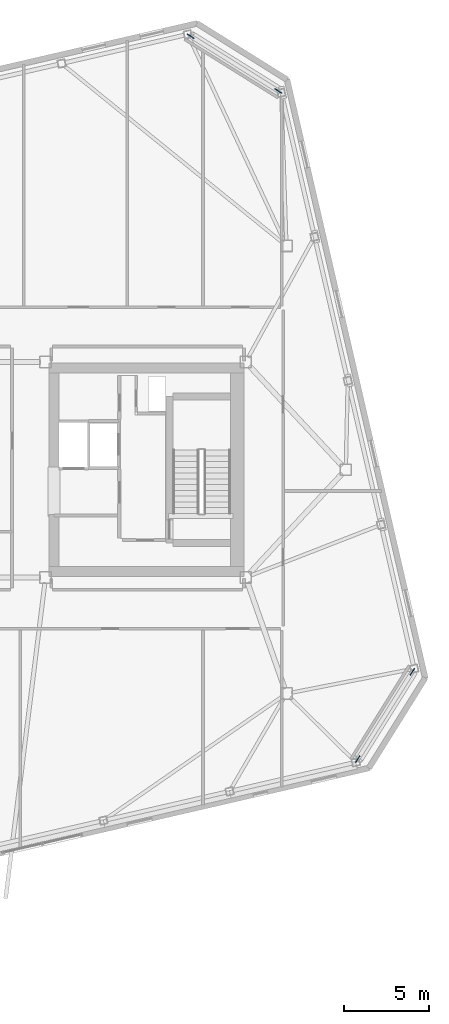
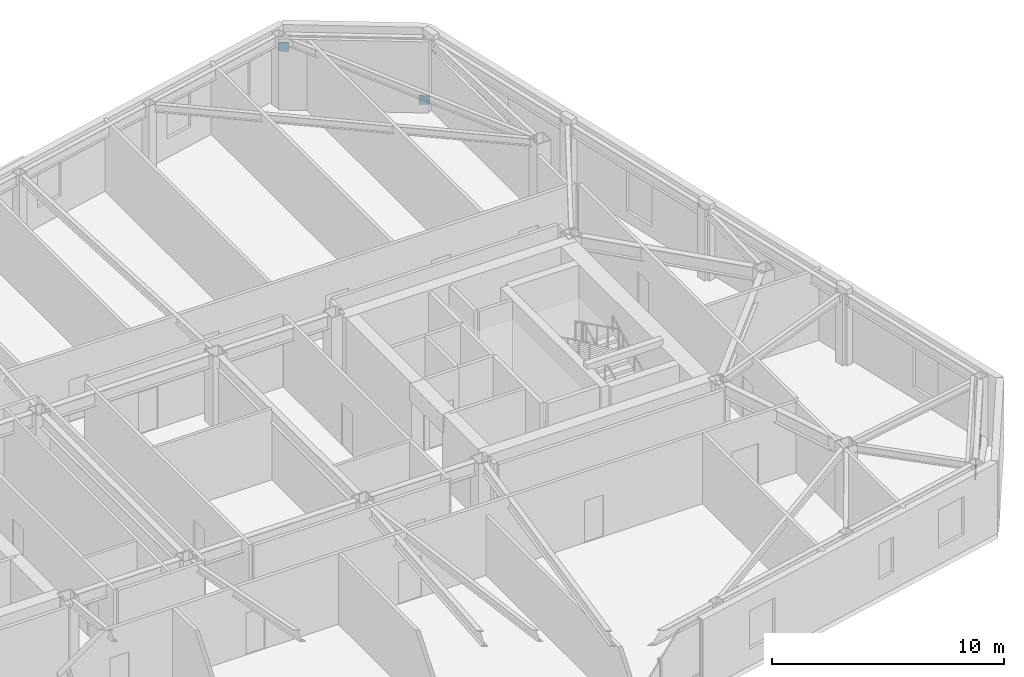
# One storey, part 22 of 24: 4 discrete accessories.
"""IFC4 building model written with IfcOpenShell, lengths in metres."""

from ifc_helpers import new_model, si_unit, direction, frame, origin, origin_2d, place, context, subcontext, project, spatial, rectangle, extrude, material, type_object, element, save


model = new_model("IFC4")

# Units and contexts
model_context = context("Model", 3, precision=1e-05, world=origin(), true_north=direction((0.0, 1.0)))
body_context = subcontext(model_context, "Body", "Model", "MODEL_VIEW")
ifc_project = project(units=[si_unit("LENGTHUNIT", "METRE"), si_unit("AREAUNIT", "SQUARE_METRE"), si_unit("VOLUMEUNIT", "CUBIC_METRE"), si_unit("PLANEANGLEUNIT", "RADIAN"), si_unit("MASSUNIT", "GRAM", prefix="KILO")], contexts=[model_context])

# Site, building, storey
site_placement = place(None, origin())
site = spatial("IfcSite", under=ifc_project, at=site_placement, CompositionType="ELEMENT")
building_placement = place(site_placement, origin())
building = spatial("IfcBuilding", under=site, at=building_placement, Name="Tavrogorsk Clinical Tower", CompositionType="ELEMENT")
storey_placement = place(building_placement, frame((0.0, 0.0, 321.0)))
storey = spatial("IfcBuildingStorey", under=building, at=storey_placement, Name="L75", CompositionType="ELEMENT", Elevation=321.0)

# Discrete accessories
ifc_material = material(Name="Structural steel S440", Category="steel")
discrete_accessory_type = type_object("IfcDiscreteAccessoryType", Name="GussetPlateBracket_25", PredefinedType="BRACKET", material=ifc_material)
for number, where, z_axis, x_axis, name in (
    (1, (31.9228515625, -11.9091796875, 0.163330078125), (0.0, 0.0, 1.0), (-0.529919264233, -0.848048096156, 0.0), "L75 Brace Gusset Plate EXOCRN-L75-1-A"),
    (2, (28.70166015625, -17.063720703125, 2.81689453125), (0.0, 0.0, 1.0), (-0.529919264233, -0.848048096156, 0.0), "L75 Brace Gusset Plate EXOCRN-L75-1-B"),
    (3, (24.017578125, 22.332275390625, 0.163330078125), (0.0, 0.0, 1.0), (-0.848048096156, 0.529919264233, 0.0), "L75 Brace Gusset Plate EXOCRN-L75-2-A"),
    (4, (18.86279296875, 25.55322265625, 2.81689453125), (0.0, 0.0, 1.0), (-0.848048096156, 0.529919264233, 0.0), "L75 Brace Gusset Plate EXOCRN-L75-2-B"),
):
    element("IfcDiscreteAccessory", number, at=place(storey_placement, frame(where, z_axis=z_axis, x_axis=x_axis)), inside=storey, type_object=discrete_accessory_type, Name=name, PredefinedType="BRACKET", context=body_context, shape_type="SweptSolid", body=[
        extrude(rectangle(XDim=0.4599609375, YDim=0.0400390625, at=origin_2d()), origin(), (0.0, 0.0, 1.0), 0.4599609375),
    ])

save(model, "model.ifc")
